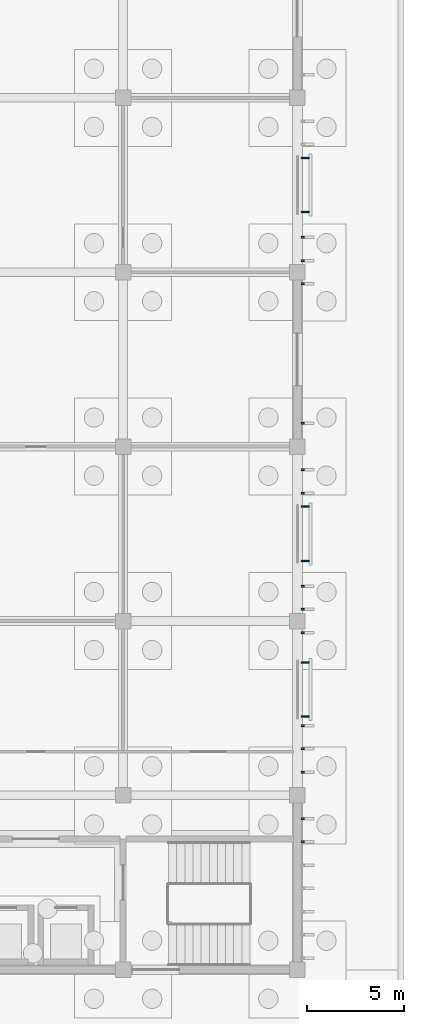
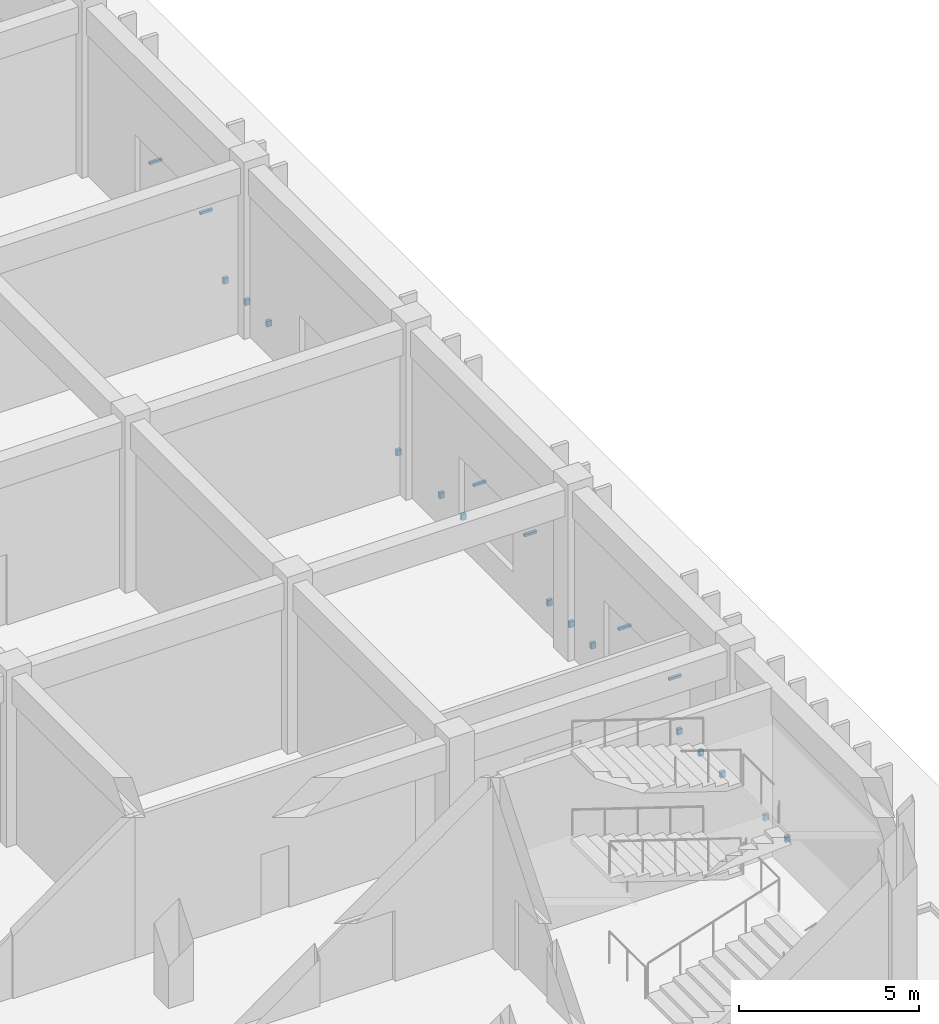
# One storey, part 131 of 198: 20 discrete accessories.
"""IFC4 building model written with IfcOpenShell, lengths in metres."""

import ifcopenshell
import ifcopenshell.guid

model = None  # the IFC model being written
_history = None  # IfcOwnerHistory: only IFC2X3 demands one
_inside = {}  # id of a spatial element -> (the spatial element, [elements in it])
_under = {}  # id of a project, library or spatial element -> (it, [spatial elements below it])
_declared = {}  # id of a project -> (the project, [libraries it declares])
_typed = {}  # id of a type object -> (the type object, [elements of that type])
_made_of = {}  # id of a material, layer set ... -> (it, [elements and type objects made of it])


def new_model(schema):
    """Start an empty IFC model of exactly this schema.

    Asked for "IFC4X3", IfcOpenShell would pick the latest addendum, in which some entities
    have other attributes; the version numbers below select the first issue.
    IFC2X3 requires an IfcOwnerHistory on every rooted entity: one is made here for all.
    """
    global model, _history
    if schema == "IFC4X3":
        model = ifcopenshell.file(schema_version=(4, 3, 0, 0))
    else:
        model = ifcopenshell.file(schema=schema)
    _inside.clear()
    _under.clear()
    _declared.clear()
    _typed.clear()
    _made_of.clear()
    _history = None
    if model.schema == "IFC2X3":
        org = make("IfcOrganization", Name="unknown")
        user = make(
            "IfcPersonAndOrganization",
            ThePerson=make("IfcPerson", FamilyName="unknown"),
            TheOrganization=org,
        )
        app = make(
            "IfcApplication",
            ApplicationDeveloper=org,
            Version="unknown",
            ApplicationFullName="unknown",
            ApplicationIdentifier="unknown",
        )
        _history = make(
            "IfcOwnerHistory",
            OwningUser=user,
            OwningApplication=app,
            ChangeAction="ADDED",
            CreationDate=0,
        )
    return model


def make(cls, **values):
    """One entity of the class cls with the attributes given. An attribute that is None is left unset."""
    return model.create_entity(
        cls, **{name: value for name, value in values.items() if value is not None}
    )


def rooted(cls, **values):
    """An entity with a GlobalId (a new one), such as an element, a storey or a relation."""
    return make(cls, GlobalId=ifcopenshell.guid.new(), OwnerHistory=_history, **values)


def si_unit(unit_type, name, prefix=None):
    """IfcSIUnit, for example si_unit("LENGTHUNIT", "METRE", prefix="MILLI")."""
    return make("IfcSIUnit", UnitType=unit_type, Prefix=prefix, Name=name)


def assignment(units):
    """IfcUnitAssignment: the units of a project."""
    return None if units is None else make("IfcUnitAssignment", Units=units)


def point(xyz):
    """IfcCartesianPoint."""
    return None if xyz is None else make("IfcCartesianPoint", Coordinates=xyz)


def direction(xyz):
    """IfcDirection."""
    return None if xyz is None else make("IfcDirection", DirectionRatios=xyz)


def frame(location, z_axis=None, x_axis=None):
    """IfcAxis2Placement3D, a coordinate frame: its origin and axes. An axis left out is left unset."""
    return make(
        "IfcAxis2Placement3D",
        Location=point(location),
        Axis=direction(z_axis),
        RefDirection=direction(x_axis),
    )


def frame_2d(location, x_axis=None):
    """IfcAxis2Placement2D, a coordinate frame in the plane: its origin and x axis."""
    return make(
        "IfcAxis2Placement2D", Location=point(location), RefDirection=direction(x_axis)
    )


def origin():
    """The frame at (0, 0, 0) with its axes left unset."""
    return frame((0.0, 0.0, 0.0))


def origin_2d():
    """The frame at (0, 0) in the plane with its x axis left unset."""
    return frame_2d((0.0, 0.0))


def place(relative_to, where):
    """IfcLocalPlacement: puts the frame where relative to a parent placement (None: the world)."""
    return make(
        "IfcLocalPlacement", PlacementRelTo=relative_to, RelativePlacement=where
    )


def context(
    kind, dimensions, precision=None, world=None, true_north=None, identifier=None
):
    """IfcGeometricRepresentationContext, for example the 3D "Model" context."""
    return make(
        "IfcGeometricRepresentationContext",
        ContextIdentifier=identifier,
        ContextType=kind,
        CoordinateSpaceDimension=dimensions,
        Precision=precision,
        WorldCoordinateSystem=world,
        TrueNorth=true_north,
    )


def subcontext(parent, identifier, kind, view, scale=None):
    """IfcGeometricRepresentationSubContext, for example "Body" below "Model"."""
    return make(
        "IfcGeometricRepresentationSubContext",
        ContextIdentifier=identifier,
        ContextType=kind,
        ParentContext=parent,
        TargetScale=scale,
        TargetView=view,
    )


def project(units=None, contexts=None):
    """IfcProject with its units and contexts."""
    return rooted(
        "IfcProject",
        Name="project",
        RepresentationContexts=contexts,
        UnitsInContext=assignment(units),
    )


def spatial(cls, under=None, at=None, **own):
    """A site, building, storey or space (cls), placed at a placement, below another one or the project."""
    s = rooted(cls, ObjectPlacement=at, **own)
    if under is not None:
        _under.setdefault(under.id(), (under, []))[1].append(s)
    return s


def profile(cls, at=None, kind="AREA", **sizes):
    """A parametric profile (cls). Its sizes go by their IFC names, for example OverallWidth=200.0."""
    return make(cls, ProfileType=kind, Position=at, **sizes)


def rectangle(**sizes):
    """IfcRectangleProfileDef."""
    return profile("IfcRectangleProfileDef", **sizes)


def extrude(swept, where, along, depth):
    """IfcExtrudedAreaSolid: the profile swept, set in the frame where, extruded along a direction by depth."""
    return make(
        "IfcExtrudedAreaSolid",
        SweptArea=swept,
        Position=where,
        ExtrudedDirection=direction(along),
        Depth=depth,
    )


def shape(context_of_items, identifier, shape_type, items):
    """IfcShapeRepresentation: the items that make up one representation, for example the "Body"."""
    return make(
        "IfcShapeRepresentation",
        ContextOfItems=context_of_items,
        RepresentationIdentifier=identifier,
        RepresentationType=shape_type,
        Items=items,
    )


def material(Name=None, Category=None):
    """IfcMaterial."""
    return make("IfcMaterial", Name=Name, Category=Category)


def made_of(thing, what):
    """Note that an element or type object is made of a material, layer set ...; save() writes the relation."""
    if what is not None:
        _made_of.setdefault(what.id(), (what, []))[1].append(thing)
    return thing


def type_object(cls, material=None, **own):
    """A type object (cls), such as IfcWallType, which elements share."""
    return made_of(rooted(cls, **own), material)


def element(
    cls,
    number,
    at=None,
    inside=None,
    cuts=None,
    type_object=None,
    material=None,
    context=None,
    identifier="Body",
    shape_type=None,
    held_by="IfcProductDefinitionShape",
    body=None,
    shapes=None,
    **own,
):
    """One element of the class cls, such as IfcWall. Its Tag is "e" and its number.

    at: its placement. inside: the storey or other place that contains it. cuts: it is an
    opening in that element (IfcRelVoidsElement). A single representation is given by context,
    identifier, shape_type and body (its items); several are given by shapes. held_by: the class
    of the entity that holds the representations. save() writes the other relations.
    """
    e = rooted(cls, Tag="e%d" % number, ObjectPlacement=at, **own)
    if body is not None:
        shapes = [shape(context, identifier, shape_type, body)]
    if shapes is not None:
        e.Representation = make(held_by, Representations=shapes)
    if inside is not None:
        _inside.setdefault(inside.id(), (inside, []))[1].append(e)
    if cuts is not None:
        rooted(
            "IfcRelVoidsElement", RelatingBuildingElement=cuts, RelatedOpeningElement=e
        )
    if type_object is not None:
        _typed.setdefault(type_object.id(), (type_object, []))[1].append(e)
    return made_of(e, material)


def aggregate(whole, parts):
    """IfcRelAggregates: a whole, such as a stair, and the parts it consists of."""
    return rooted("IfcRelAggregates", RelatingObject=whole, RelatedObjects=parts)


def save(model, path):
    """Write the relations noted so far, then the file.

    IfcRelAggregates (storeys below a building ...), IfcRelContainedInSpatialStructure (elements
    in a storey), IfcRelDefinesByType, IfcRelAssociatesMaterial and IfcRelDeclares: one each for
    every whole, place, type object, material and project.
    """
    for whole, parts in _under.values():
        aggregate(whole, parts)
    for where, things in _inside.values():
        rooted(
            "IfcRelContainedInSpatialStructure",
            RelatedElements=things,
            RelatingStructure=where,
        )
    for kind, things in _typed.values():
        rooted("IfcRelDefinesByType", RelatedObjects=things, RelatingType=kind)
    for what, things in _made_of.values():
        rooted("IfcRelAssociatesMaterial", RelatedObjects=things, RelatingMaterial=what)
    for by, libraries in _declared.values():
        rooted("IfcRelDeclares", RelatingContext=by, RelatedDefinitions=libraries)
    model.write(path)


model = new_model("IFC4")

# Units and contexts
model_context = context("Model", 3, precision=1e-05, world=origin(), true_north=direction((0.0, 1.0)))
body_context = subcontext(model_context, "Body", "Model", "MODEL_VIEW")
ifc_project = project(units=[si_unit("LENGTHUNIT", "METRE"), si_unit("AREAUNIT", "SQUARE_METRE"), si_unit("VOLUMEUNIT", "CUBIC_METRE"), si_unit("PLANEANGLEUNIT", "RADIAN"), si_unit("MASSUNIT", "GRAM", prefix="KILO")], contexts=[model_context])

# Site, building, storey
site_placement = place(None, origin())
site = spatial("IfcSite", under=ifc_project, at=site_placement, CompositionType="ELEMENT")
building_placement = place(site_placement, origin())
building = spatial("IfcBuilding", under=site, at=building_placement, Name="Opaline Strait Convention Centre", CompositionType="ELEMENT")
storey_placement = place(building_placement, origin())
storey = spatial("IfcBuildingStorey", under=building, at=storey_placement, Name="L00", CompositionType="ELEMENT", Elevation=0.0)

# Discrete accessories
ifc_material = material(Name="Stainless steel 304", Category="steel")
discrete_accessory_type_1 = type_object("IfcDiscreteAccessoryType", Name="Fin bracket 150 stainless steel", PredefinedType="BRACKET", material=ifc_material)
for number, where, z_axis, x_axis, name in (
    (1, (360.27490234375, 96.60009765625, 0.35009765625), (0.0, 0.0, 1.0), (1.0, 0.0, 0.0), "Fin bracket"),
    (2, (360.27490234375, 97.800048828125, 0.35009765625), (0.0, 0.0, 1.0), (1.0, 0.0, 0.0), "Fin bracket"),
    (3, (360.27490234375, 100.199951171875, 0.35009765625), (0.0, 0.0, 1.0), (1.0, 0.0, 0.0), "Fin bracket"),
    (4, (360.27490234375, 101.39990234375, 0.35009765625), (0.0, 0.0, 1.0), (1.0, 0.0, 0.0), "Fin bracket"),
    (5, (360.27490234375, 102.60009765625, 0.35009765625), (0.0, 0.0, 1.0), (1.0, 0.0, 0.0), "Fin bracket"),
    (6, (360.27490234375, 107.39990234375, 0.35009765625), (0.0, 0.0, 1.0), (1.0, 0.0, 0.0), "Fin bracket"),
    (7, (360.27490234375, 108.60009765625, 0.35009765625), (0.0, 0.0, 1.0), (1.0, 0.0, 0.0), "Fin bracket"),
    (8, (360.27490234375, 109.800048828125, 0.35009765625), (0.0, 0.0, 1.0), (1.0, 0.0, 0.0), "Fin bracket"),
    (9, (360.27490234375, 114.60009765625, 0.35009765625), (0.0, 0.0, 1.0), (1.0, 0.0, 0.0), "Fin bracket"),
    (10, (360.27490234375, 115.800048828125, 0.35009765625), (0.0, 0.0, 1.0), (1.0, 0.0, 0.0), "Fin bracket"),
    (11, (360.27490234375, 118.199951171875, 0.35009765625), (0.0, 0.0, 1.0), (1.0, 0.0, 0.0), "Fin bracket"),
    (12, (360.27490234375, 125.39990234375, 0.35009765625), (0.0, 0.0, 1.0), (1.0, 0.0, 0.0), "Fin bracket"),
    (13, (360.27490234375, 126.60009765625, 0.35009765625), (0.0, 0.0, 1.0), (1.0, 0.0, 0.0), "Fin bracket"),
    (14, (360.27490234375, 127.800048828125, 0.35009765625), (0.0, 0.0, 1.0), (1.0, 0.0, 0.0), "Fin bracket"),
):
    element("IfcDiscreteAccessory", number, at=place(storey_placement, frame(where, z_axis=z_axis, x_axis=x_axis)), inside=storey, type_object=discrete_accessory_type_1, Name=name, PredefinedType="BRACKET", context=body_context, shape_type="SweptSolid", body=[
        extrude(rectangle(XDim=0.14990234375, YDim=0.10009765625, at=origin_2d()), origin(), (0.0, 0.0, 1.0), 0.199951171875),
    ])
discrete_accessory_type_2 = type_object("IfcDiscreteAccessoryType", Name="Louvre bracket 400 stainless steel", PredefinedType="BRACKET", material=ifc_material)
for number, where, z_axis, x_axis, name in (
    (15, (360.39990234375, 103.0625, 1.909912109375), (0.0, 0.0, 1.0), (1.0, 0.0, 0.0), "Louvre bracket"),
    (16, (360.39990234375, 105.862548828125, 1.909912109375), (0.0, 0.0, 1.0), (1.0, 0.0, 0.0), "Louvre bracket"),
    (17, (360.39990234375, 111.10009765625, 1.909912109375), (0.0, 0.0, 1.0), (1.0, 0.0, 0.0), "Louvre bracket"),
    (18, (360.39990234375, 113.89990234375, 1.909912109375), (0.0, 0.0, 1.0), (1.0, 0.0, 0.0), "Louvre bracket"),
    (19, (360.39990234375, 129.10009765625, 1.909912109375), (0.0, 0.0, 1.0), (1.0, 0.0, 0.0), "Louvre bracket"),
    (20, (360.39990234375, 131.89990234375, 1.909912109375), (0.0, 0.0, 1.0), (1.0, 0.0, 0.0), "Louvre bracket"),
):
    element("IfcDiscreteAccessory", number, at=place(storey_placement, frame(where, z_axis=z_axis, x_axis=x_axis)), inside=storey, type_object=discrete_accessory_type_2, Name=name, PredefinedType="BRACKET", context=body_context, shape_type="SweptSolid", body=[
        extrude(rectangle(XDim=0.39990234375, YDim=0.080078125, at=origin_2d()), origin(), (0.0, 0.0, 1.0), 0.080078125),
    ])

save(model, "model.ifc")
